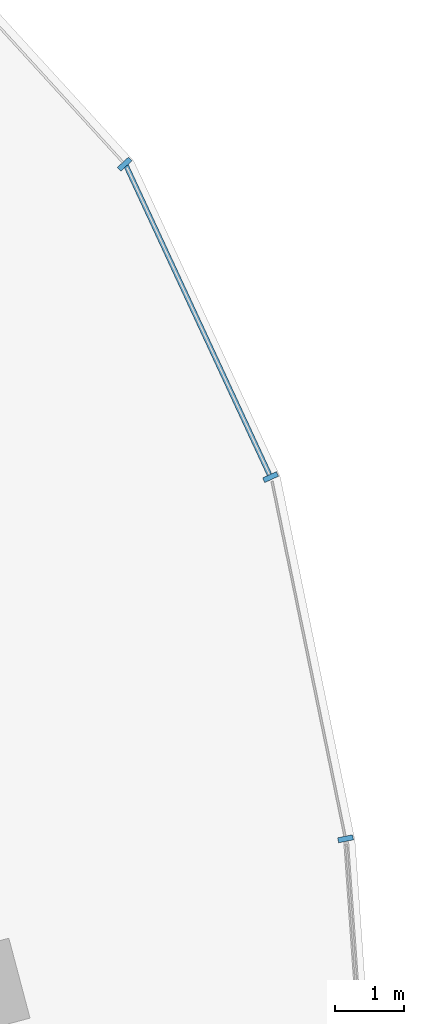
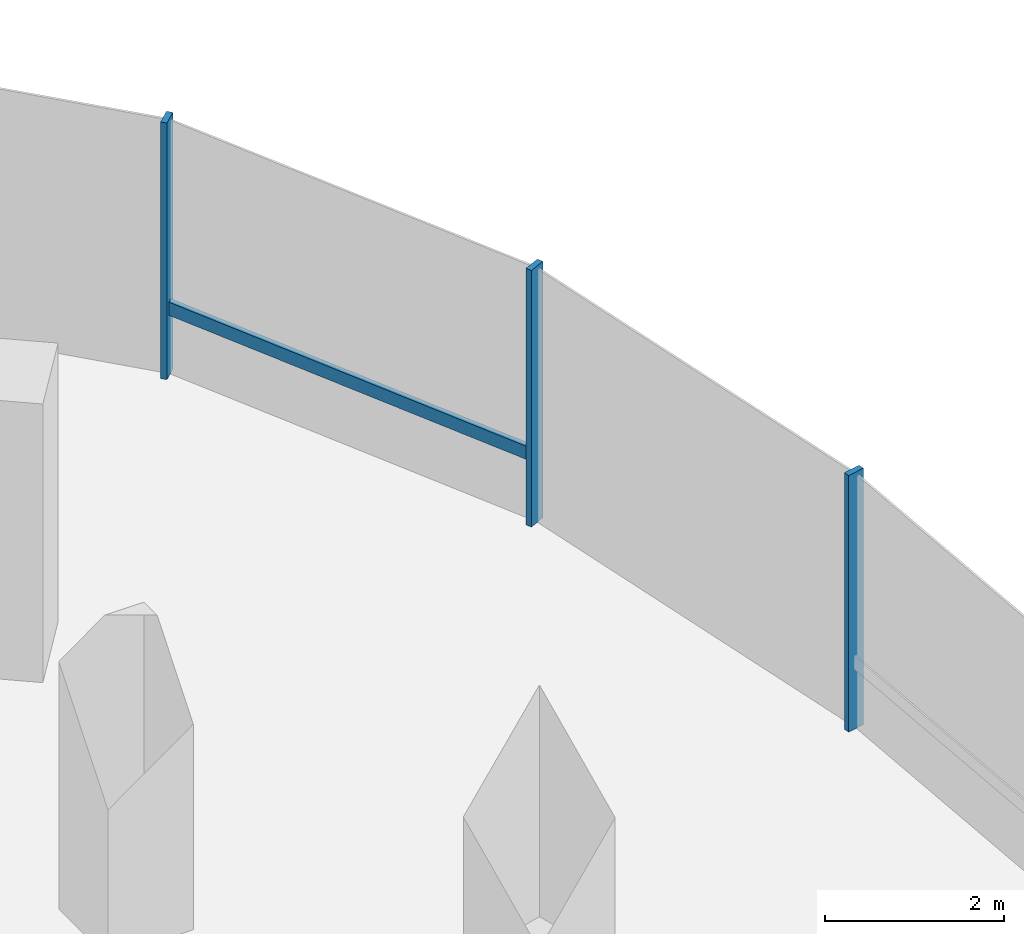
# One storey, part 8 of 21: 4 members, 1 element without a shape of its own.
"""IFC4 building model written with IfcOpenShell, lengths in metres."""

from ifc_helpers import new_model, si_unit, direction, frame, origin, origin_2d, place, context, subcontext, project, spatial, rectangle, extrude, material, material_profile, profile_set, type_object, element, aggregate, save


model = new_model("IFC4")

# Units and contexts
model_context = context("Model", 3, precision=1e-05, world=origin(), true_north=direction((0.0, 1.0)))
body_context = subcontext(model_context, "Body", "Model", "MODEL_VIEW")
ifc_project = project(units=[si_unit("LENGTHUNIT", "METRE"), si_unit("AREAUNIT", "SQUARE_METRE"), si_unit("VOLUMEUNIT", "CUBIC_METRE"), si_unit("PLANEANGLEUNIT", "RADIAN"), si_unit("MASSUNIT", "GRAM", prefix="KILO"), si_unit("THERMODYNAMICTEMPERATUREUNIT", "KELVIN"), si_unit("POWERUNIT", "WATT")], contexts=[model_context])

# Site, building, storey
site_placement = place(None, origin())
site = spatial("IfcSite", under=ifc_project, at=site_placement, CompositionType="ELEMENT")
building_placement = place(site_placement, origin())
building = spatial("IfcBuilding", under=site, at=building_placement, Name="Cundina Bronze Exchange", CompositionType="ELEMENT")
storey_placement = place(building_placement, frame((0.0, 0.0, 27.800048828125)))
storey = spatial("IfcBuildingStorey", under=building, at=storey_placement, Name="L06", CompositionType="ELEMENT", Elevation=27.800048828125)

# Curtain wall, members
ifc_material = material(Name="Anodised Bronze Aluminium 6063-T6", Category="aluminium")
curtain_wall_type = type_object("IfcCurtainWallType", Name="CWS-TRD-LOW", PredefinedType="NOTDEFINED", material=ifc_material)
curtain_wall_placement = place(storey_placement, origin())
curtain_wall = element("IfcCurtainWall", 1, at=curtain_wall_placement, inside=storey, type_object=curtain_wall_type, Name="L06 CW-02 Curtain Wall Run CWR-L06-E1", PredefinedType="NOTDEFINED")
ifc_material_profile_1 = material_profile(ifc_material, rectangle(XDim=0.074951171875, YDim=0.219970703125, at=origin_2d()), Name="AL75X220", Category="aluminium")
ifc_profile_set_1 = profile_set([ifc_material_profile_1], Name="Anodised Bronze Aluminium 6063-T6")
member_type_1 = type_object("IfcMemberType", Name="CWM-MUL-220", PredefinedType="MULLION", material=ifc_profile_set_1)
member_1_placement = place(storey_placement, frame((50.717041015625, 8.67822265625, 0.0), z_axis=(0.0, 0.0, 1.0), x_axis=(-0.201419845156, 0.979505000486, 0.0)))
member_1 = element("IfcMember", 2, at=member_1_placement, type_object=member_type_1, Name="CW-02 Mullion 2", PredefinedType="MULLION", context=body_context, shape_type="SweptSolid", body=[
    extrude(rectangle(XDim=0.074951171875, YDim=0.219970703125, at=origin_2d()), origin(), (0.0, 0.0, 1.0), 3.5),
])
member_2_placement = place(storey_placement, frame((49.6279296875, 13.931884765625, 0.0), z_axis=(0.0, 0.0, 1.0), x_axis=(-0.42087749791, 0.907117485088, 0.0)))
member_2 = element("IfcMember", 3, at=member_2_placement, type_object=member_type_1, Name="CW-02 Mullion 3", PredefinedType="MULLION", context=body_context, shape_type="SweptSolid", body=[
    extrude(rectangle(XDim=0.074951171875, YDim=0.219970703125, at=origin_2d()), origin(), (0.0, 0.0, 1.0), 3.5),
])
member_3_placement = place(storey_placement, frame((47.508544921875, 18.47705078125, 0.0), z_axis=(0.0, 0.0, 1.0), x_axis=(-0.674302387584, 0.738455340626, 0.0)))
member_3 = element("IfcMember", 4, at=member_3_placement, type_object=member_type_1, Name="CW-02 Mullion 4", PredefinedType="MULLION", context=body_context, shape_type="SweptSolid", body=[
    extrude(rectangle(XDim=0.074951171875, YDim=0.219970703125, at=origin_2d()), origin(), (0.0, 0.0, 1.0), 3.5),
])
ifc_material_profile_2 = material_profile(ifc_material, rectangle(XDim=0.070068359375, YDim=0.179931640625, at=origin_2d()), Name="AL70X180", Category="aluminium")
ifc_profile_set_2 = profile_set([ifc_material_profile_2], Name="Anodised Bronze Aluminium 6063-T6")
member_type_2 = type_object("IfcMemberType", Name="CWM-TRN-180", PredefinedType="USERDEFINED", material=ifc_profile_set_2)
member_4_placement = place(storey_placement, frame((49.610595703125, 13.96923828125, 0.919921875), z_axis=(-0.420811422796, 0.907148139195, 0.0), x_axis=(-0.907148139195, -0.420811422796, 0.0)))
member_4 = element("IfcMember", 5, at=member_4_placement, type_object=member_type_2, Name="CW-02 Spandrel Transom 3", ObjectType="TRANSOM", PredefinedType="USERDEFINED", context=body_context, shape_type="SweptSolid", body=[
    extrude(rectangle(XDim=0.070068359375, YDim=0.179931640625, at=origin_2d()), origin(), (0.0, 0.0, 1.0), 4.95166015625),
])
aggregate(curtain_wall, [member_1, member_2, member_4, member_3])

save(model, "model.ifc")
